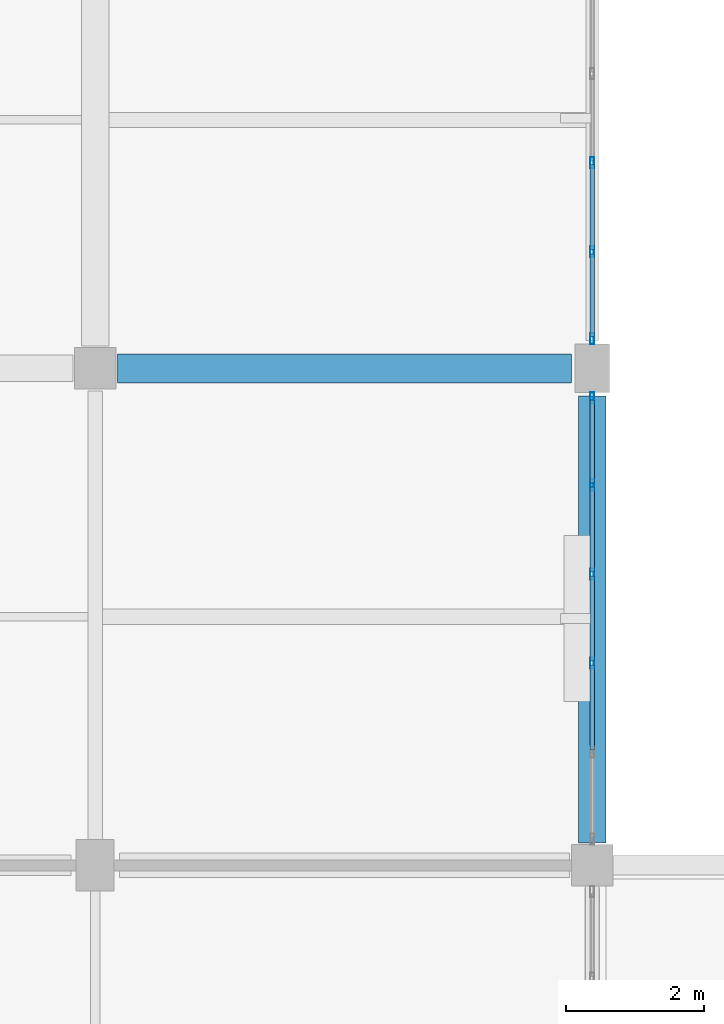
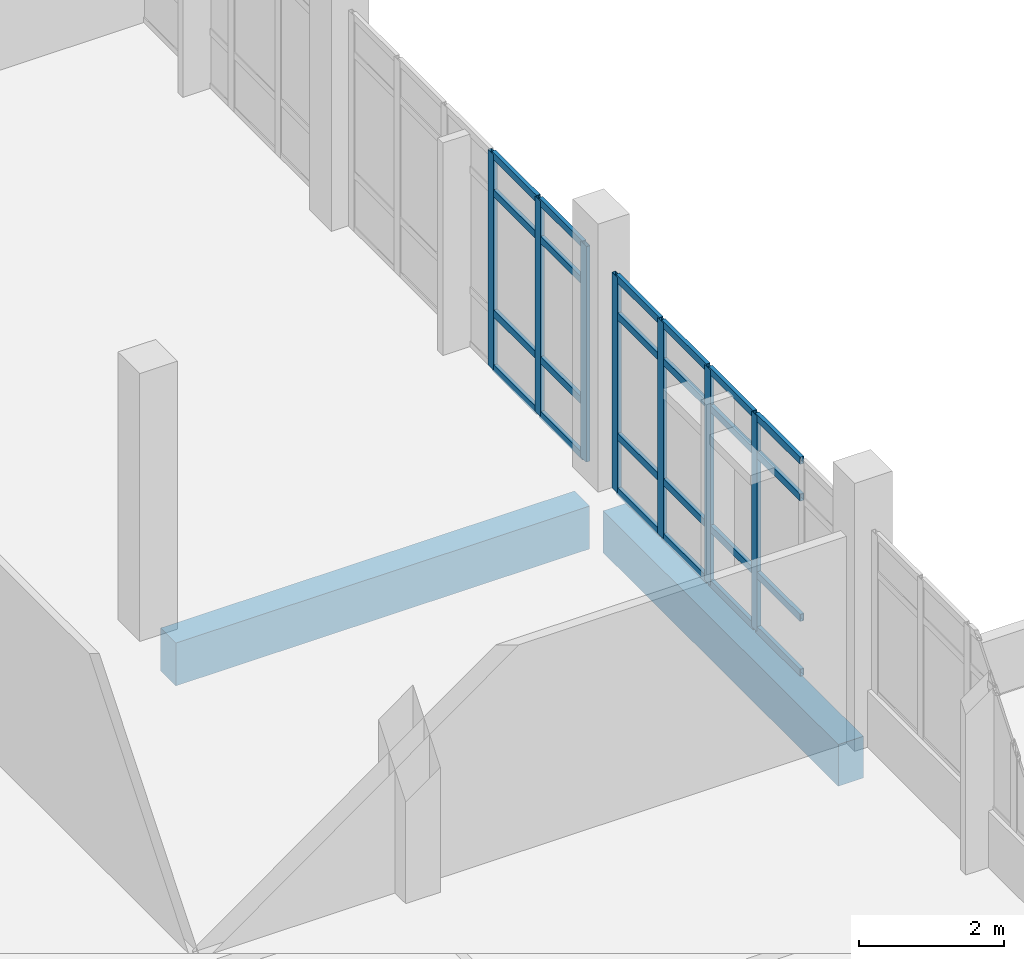
# One storey, part 14 of 87: 31 members, 2 beams, 2 elements without a shape of their own.
"""IFC4 building model written with IfcOpenShell, lengths in metres."""

from ifc_helpers import new_model, si_unit, direction, frame, origin, origin_2d, place, context, subcontext, project, spatial, rectangle, hollow_rectangle, extrude, material, material_profile, profile_set, type_object, element, aggregate, save


model = new_model("IFC4")

# Units and contexts
model_context = context("Model", 3, precision=1e-05, world=origin(), true_north=direction((0.0, 1.0)))
body_context = subcontext(model_context, "Body", "Model", "MODEL_VIEW")
ifc_project = project(units=[si_unit("LENGTHUNIT", "METRE"), si_unit("AREAUNIT", "SQUARE_METRE"), si_unit("VOLUMEUNIT", "CUBIC_METRE"), si_unit("PLANEANGLEUNIT", "RADIAN"), si_unit("MASSUNIT", "GRAM", prefix="KILO")], contexts=[model_context])

# Site, building, storey
site_placement = place(None, origin())
site = spatial("IfcSite", under=ifc_project, at=site_placement, CompositionType="ELEMENT")
building_placement = place(site_placement, origin())
building = spatial("IfcBuilding", under=site, at=building_placement, Name="Kalluvel Institute of Natural Sciences", CompositionType="ELEMENT")
storey_placement = place(building_placement, frame((0.0, 0.0, 18.89990234375)))
storey = spatial("IfcBuildingStorey", under=building, at=storey_placement, Name="L04", CompositionType="ELEMENT", Elevation=18.89990234375)

# Beams
ifc_material_1 = material(Name="Concrete M40", Category="concrete")
ifc_material_profile_1 = material_profile(ifc_material_1, rectangle(XDim=0.39990234375, YDim=0.699951171875, at=origin_2d()), Name="RCB 400x700")
ifc_profile_set_1 = profile_set([ifc_material_profile_1], Name="Concrete M40")
beam_type_1 = type_object("IfcBeamType", Name="BM-RC400x700", PredefinedType="BEAM", material=ifc_profile_set_1)
beam_1_placement = place(storey_placement, frame((35.60009765625, 35.925048828125, -0.64990234375), z_axis=(0.0, 1.0, 0.0), x_axis=(-1.0, 0.0, 0.0)))
element("IfcBeam", 1, at=beam_1_placement, inside=storey, type_object=beam_type_1, Name="L04 girder GIR-L04-NS-X356-Y356", PredefinedType="BEAM", context=body_context, shape_type="SweptSolid", body=[
    extrude(rectangle(XDim=0.39990234375, YDim=0.699951171875, at=origin_2d()), origin(), (0.0, 0.0, 1.0), 6.474853515625),
])
ifc_material_profile_2 = material_profile(ifc_material_1, rectangle(XDim=0.419921875, YDim=0.719970703125, at=origin_2d()), Name="RCB 420x720")
ifc_profile_set_2 = profile_set([ifc_material_profile_2], Name="Concrete M40")
beam_type_2 = type_object("IfcBeamType", Name="BM-RC420x720", PredefinedType="BEAM", material=ifc_profile_set_2)
beam_2_placement = place(storey_placement, frame((28.72509765625, 42.800048828125, -0.659912109375), z_axis=(1.0, 0.0, 0.0), x_axis=(0.0, 1.0, 0.0)))
element("IfcBeam", 2, at=beam_2_placement, inside=storey, type_object=beam_type_2, Name="L04 girder GIR-L04-EW-X284-Y428", PredefinedType="BEAM", context=body_context, shape_type="SweptSolid", body=[
    extrude(rectangle(XDim=0.419921875, YDim=0.719970703125, at=origin_2d()), origin(), (0.0, 0.0, 1.0), 6.574951171875),
])

# Curtain wall, members
ifc_material_2 = material(Name="Aluminium AW-6063 T6", Category="aluminium")
curtain_wall_type = type_object("IfcCurtainWallType", Name="CW-DRY-45", PredefinedType="USERDEFINED", material=ifc_material_2)
curtain_wall_1_placement = place(storey_placement, origin())
curtain_wall_1 = element("IfcCurtainWall", 3, at=curtain_wall_1_placement, inside=storey, type_object=curtain_wall_type, Name="L04 Gothic lancet curtain wall CWA-L04-X356-Y360", ObjectType="UNITISED LANCET FACADE", PredefinedType="USERDEFINED")
ifc_material_profile_3 = material_profile(ifc_material_2, hollow_rectangle(XDim=0.06005859375, YDim=0.159912109375, WallThickness=0.00390625, at=origin_2d()), Name="CWM 60x160")
ifc_profile_set_3 = profile_set([ifc_material_profile_3], Name="Aluminium AW-6063 T6")
member_type_1 = type_object("IfcMemberType", Name="CWM-60x160", PredefinedType="MULLION", material=ifc_profile_set_3)
member_1_placement = place(storey_placement, frame((35.60009765625, 38.530029296875, 0.0), z_axis=(0.0, 0.0, 1.0), x_axis=(-1.0, 0.0, 0.0)))
member_1 = element("IfcMember", 4, at=member_1_placement, type_object=member_type_1, Name="CW-03 mullion 3", PredefinedType="MULLION", context=body_context, shape_type="SweptSolid", body=[
    extrude(hollow_rectangle(XDim=0.06005859375, YDim=0.159912109375, WallThickness=0.00390625, at=origin_2d()), origin(), (0.0, 0.0, 1.0), 3.6201171875),
])
member_2_placement = place(storey_placement, frame((35.60009765625, 39.820068359375, 0.0), z_axis=(0.0, 0.0, 1.0), x_axis=(-1.0, 0.0, 0.0)))
member_2 = element("IfcMember", 5, at=member_2_placement, type_object=member_type_1, Name="CW-03 mullion 4", PredefinedType="MULLION", context=body_context, shape_type="SweptSolid", body=[
    extrude(hollow_rectangle(XDim=0.06005859375, YDim=0.159912109375, WallThickness=0.00390625, at=origin_2d()), origin(), (0.0, 0.0, 1.0), 3.6201171875),
])
member_3_placement = place(storey_placement, frame((35.60009765625, 41.110107421875, 0.0), z_axis=(0.0, 0.0, 1.0), x_axis=(-1.0, 0.0, 0.0)))
member_3 = element("IfcMember", 6, at=member_3_placement, type_object=member_type_1, Name="CW-03 mullion 5", PredefinedType="MULLION", context=body_context, shape_type="SweptSolid", body=[
    extrude(hollow_rectangle(XDim=0.06005859375, YDim=0.159912109375, WallThickness=0.00390625, at=origin_2d()), origin(), (0.0, 0.0, 1.0), 3.6201171875),
])
member_4_placement = place(storey_placement, frame((35.60009765625, 42.3701171875, 0.0), z_axis=(0.0, 0.0, 1.0), x_axis=(-1.0, 0.0, 0.0)))
member_4 = element("IfcMember", 7, at=member_4_placement, type_object=member_type_1, Name="CW-03 mullion 6", PredefinedType="MULLION", context=body_context, shape_type="SweptSolid", body=[
    extrude(hollow_rectangle(XDim=0.06005859375, YDim=0.159912109375, WallThickness=0.00390625, at=origin_2d()), origin(), (0.0, 0.0, 1.0), 3.6201171875),
])

curtain_wall_2_placement = place(storey_placement, origin())
curtain_wall_2 = element("IfcCurtainWall", 8, at=curtain_wall_2_placement, inside=storey, type_object=curtain_wall_type, Name="L04 Gothic lancet curtain wall CWA-L04-X356-Y432", ObjectType="UNITISED LANCET FACADE", PredefinedType="USERDEFINED")
member_5_placement = place(storey_placement, frame((35.60009765625, 43.22998046875, 0.0), z_axis=(0.0, 0.0, 1.0), x_axis=(-1.0, 0.0, 0.0)))
member_5 = element("IfcMember", 9, at=member_5_placement, type_object=member_type_1, Name="CW-03 mullion 1", PredefinedType="MULLION", context=body_context, shape_type="SweptSolid", body=[
    extrude(hollow_rectangle(XDim=0.06005859375, YDim=0.159912109375, WallThickness=0.00390625, at=origin_2d()), origin(), (0.0, 0.0, 1.0), 3.6201171875),
])
member_6_placement = place(storey_placement, frame((35.60009765625, 44.489990234375, 0.0), z_axis=(0.0, 0.0, 1.0), x_axis=(-1.0, 0.0, 0.0)))
member_6 = element("IfcMember", 10, at=member_6_placement, type_object=member_type_1, Name="CW-03 mullion 2", PredefinedType="MULLION", context=body_context, shape_type="SweptSolid", body=[
    extrude(hollow_rectangle(XDim=0.06005859375, YDim=0.159912109375, WallThickness=0.00390625, at=origin_2d()), origin(), (0.0, 0.0, 1.0), 3.6201171875),
])
member_7_placement = place(storey_placement, frame((35.60009765625, 45.780029296875, 0.0), z_axis=(0.0, 0.0, 1.0), x_axis=(-1.0, 0.0, 0.0)))
member_7 = element("IfcMember", 11, at=member_7_placement, type_object=member_type_1, Name="CW-03 mullion 3", PredefinedType="MULLION", context=body_context, shape_type="SweptSolid", body=[
    extrude(hollow_rectangle(XDim=0.06005859375, YDim=0.159912109375, WallThickness=0.00390625, at=origin_2d()), origin(), (0.0, 0.0, 1.0), 3.6201171875),
])

# Member
ifc_material_profile_4 = material_profile(ifc_material_2, hollow_rectangle(XDim=0.06005859375, YDim=0.1201171875, WallThickness=0.00390625, at=origin_2d()), Name="CWT 60x120")
ifc_profile_set_4 = profile_set([ifc_material_profile_4], Name="Aluminium AW-6063 T6")
member_type_2 = type_object("IfcMemberType", Name="CWT-60x120", PredefinedType="USERDEFINED", material=ifc_profile_set_4)
member_8_placement = place(storey_placement, frame((35.60009765625, 37.27001953125, 0.030029296875), z_axis=(0.0, 1.0, 0.0), x_axis=(-1.0, 0.0, 0.0)))
member_8 = element("IfcMember", 12, at=member_8_placement, type_object=member_type_2, Name="CW-03 transom 2.1", ObjectType="TRANSOM", PredefinedType="USERDEFINED", context=body_context, shape_type="SweptSolid", body=[
    extrude(hollow_rectangle(XDim=0.06005859375, YDim=0.1201171875, WallThickness=0.00390625, at=origin_2d()), origin(), (0.0, 0.0, 1.0), 1.22998046875),
])

member_9_placement = place(storey_placement, frame((35.60009765625, 37.27001953125, 0.9501953125), z_axis=(0.0, 1.0, 0.0), x_axis=(-1.0, 0.0, 0.0)))
member_9 = element("IfcMember", 13, at=member_9_placement, type_object=member_type_2, Name="CW-03 transom 2.2", ObjectType="TRANSOM", PredefinedType="USERDEFINED", context=body_context, shape_type="SweptSolid", body=[
    extrude(hollow_rectangle(XDim=0.06005859375, YDim=0.1201171875, WallThickness=0.00390625, at=origin_2d()), origin(), (0.0, 0.0, 1.0), 1.22998046875),
])

member_10_placement = place(storey_placement, frame((35.60009765625, 37.27001953125, 2.97021484375), z_axis=(0.0, 1.0, 0.0), x_axis=(-1.0, 0.0, 0.0)))
member_10 = element("IfcMember", 14, at=member_10_placement, type_object=member_type_2, Name="CW-03 transom 2.3", ObjectType="TRANSOM", PredefinedType="USERDEFINED", context=body_context, shape_type="SweptSolid", body=[
    extrude(hollow_rectangle(XDim=0.06005859375, YDim=0.1201171875, WallThickness=0.00390625, at=origin_2d()), origin(), (0.0, 0.0, 1.0), 1.22998046875),
])

member_11_placement = place(storey_placement, frame((35.60009765625, 37.27001953125, 3.590087890625), z_axis=(0.0, 1.0, 0.0), x_axis=(-1.0, 0.0, 0.0)))
member_11 = element("IfcMember", 15, at=member_11_placement, type_object=member_type_2, Name="CW-03 transom 2.4", ObjectType="TRANSOM", PredefinedType="USERDEFINED", context=body_context, shape_type="SweptSolid", body=[
    extrude(hollow_rectangle(XDim=0.06005859375, YDim=0.1201171875, WallThickness=0.00390625, at=origin_2d()), origin(), (0.0, 0.0, 1.0), 1.22998046875),
])

member_12_placement = place(storey_placement, frame((35.60009765625, 38.56005859375, 0.030029296875), z_axis=(0.0, 1.0, 0.0), x_axis=(-1.0, 0.0, 0.0)))
member_12 = element("IfcMember", 16, at=member_12_placement, type_object=member_type_2, Name="CW-03 transom 3.1", ObjectType="TRANSOM", PredefinedType="USERDEFINED", context=body_context, shape_type="SweptSolid", body=[
    extrude(hollow_rectangle(XDim=0.06005859375, YDim=0.1201171875, WallThickness=0.00390625, at=origin_2d()), origin(), (0.0, 0.0, 1.0), 1.22998046875),
])

member_13_placement = place(storey_placement, frame((35.60009765625, 38.56005859375, 0.9501953125), z_axis=(0.0, 1.0, 0.0), x_axis=(-1.0, 0.0, 0.0)))
member_13 = element("IfcMember", 17, at=member_13_placement, type_object=member_type_2, Name="CW-03 transom 3.2", ObjectType="TRANSOM", PredefinedType="USERDEFINED", context=body_context, shape_type="SweptSolid", body=[
    extrude(hollow_rectangle(XDim=0.06005859375, YDim=0.1201171875, WallThickness=0.00390625, at=origin_2d()), origin(), (0.0, 0.0, 1.0), 1.22998046875),
])

member_14_placement = place(storey_placement, frame((35.60009765625, 38.56005859375, 2.97021484375), z_axis=(0.0, 1.0, 0.0), x_axis=(-1.0, 0.0, 0.0)))
member_14 = element("IfcMember", 18, at=member_14_placement, type_object=member_type_2, Name="CW-03 transom 3.3", ObjectType="TRANSOM", PredefinedType="USERDEFINED", context=body_context, shape_type="SweptSolid", body=[
    extrude(hollow_rectangle(XDim=0.06005859375, YDim=0.1201171875, WallThickness=0.00390625, at=origin_2d()), origin(), (0.0, 0.0, 1.0), 1.22998046875),
])

member_15_placement = place(storey_placement, frame((35.60009765625, 38.56005859375, 3.590087890625), z_axis=(0.0, 1.0, 0.0), x_axis=(-1.0, 0.0, 0.0)))
member_15 = element("IfcMember", 19, at=member_15_placement, type_object=member_type_2, Name="CW-03 transom 3.4", ObjectType="TRANSOM", PredefinedType="USERDEFINED", context=body_context, shape_type="SweptSolid", body=[
    extrude(hollow_rectangle(XDim=0.06005859375, YDim=0.1201171875, WallThickness=0.00390625, at=origin_2d()), origin(), (0.0, 0.0, 1.0), 1.22998046875),
])

member_16_placement = place(storey_placement, frame((35.60009765625, 39.85009765625, 0.030029296875), z_axis=(0.0, 1.0, 0.0), x_axis=(-1.0, 0.0, 0.0)))
member_16 = element("IfcMember", 20, at=member_16_placement, type_object=member_type_2, Name="CW-03 transom 4.1", ObjectType="TRANSOM", PredefinedType="USERDEFINED", context=body_context, shape_type="SweptSolid", body=[
    extrude(hollow_rectangle(XDim=0.06005859375, YDim=0.1201171875, WallThickness=0.00390625, at=origin_2d()), origin(), (0.0, 0.0, 1.0), 1.22998046875),
])

member_17_placement = place(storey_placement, frame((35.60009765625, 39.85009765625, 0.9501953125), z_axis=(0.0, 1.0, 0.0), x_axis=(-1.0, 0.0, 0.0)))
member_17 = element("IfcMember", 21, at=member_17_placement, type_object=member_type_2, Name="CW-03 transom 4.2", ObjectType="TRANSOM", PredefinedType="USERDEFINED", context=body_context, shape_type="SweptSolid", body=[
    extrude(hollow_rectangle(XDim=0.06005859375, YDim=0.1201171875, WallThickness=0.00390625, at=origin_2d()), origin(), (0.0, 0.0, 1.0), 1.22998046875),
])

member_18_placement = place(storey_placement, frame((35.60009765625, 39.85009765625, 2.97021484375), z_axis=(0.0, 1.0, 0.0), x_axis=(-1.0, 0.0, 0.0)))
member_18 = element("IfcMember", 22, at=member_18_placement, type_object=member_type_2, Name="CW-03 transom 4.3", ObjectType="TRANSOM", PredefinedType="USERDEFINED", context=body_context, shape_type="SweptSolid", body=[
    extrude(hollow_rectangle(XDim=0.06005859375, YDim=0.1201171875, WallThickness=0.00390625, at=origin_2d()), origin(), (0.0, 0.0, 1.0), 1.22998046875),
])

member_19_placement = place(storey_placement, frame((35.60009765625, 39.85009765625, 3.590087890625), z_axis=(0.0, 1.0, 0.0), x_axis=(-1.0, 0.0, 0.0)))
member_19 = element("IfcMember", 23, at=member_19_placement, type_object=member_type_2, Name="CW-03 transom 4.4", ObjectType="TRANSOM", PredefinedType="USERDEFINED", context=body_context, shape_type="SweptSolid", body=[
    extrude(hollow_rectangle(XDim=0.06005859375, YDim=0.1201171875, WallThickness=0.00390625, at=origin_2d()), origin(), (0.0, 0.0, 1.0), 1.22998046875),
])

member_20_placement = place(storey_placement, frame((35.60009765625, 41.139892578125, 0.030029296875), z_axis=(0.0, 1.0, 0.0), x_axis=(-1.0, 0.0, 0.0)))
member_20 = element("IfcMember", 24, at=member_20_placement, type_object=member_type_2, Name="CW-03 transom 5.1", ObjectType="TRANSOM", PredefinedType="USERDEFINED", context=body_context, shape_type="SweptSolid", body=[
    extrude(hollow_rectangle(XDim=0.06005859375, YDim=0.1201171875, WallThickness=0.00390625, at=origin_2d()), origin(), (0.0, 0.0, 1.0), 1.2001953125),
])

member_21_placement = place(storey_placement, frame((35.60009765625, 41.139892578125, 0.9501953125), z_axis=(0.0, 1.0, 0.0), x_axis=(-1.0, 0.0, 0.0)))
member_21 = element("IfcMember", 25, at=member_21_placement, type_object=member_type_2, Name="CW-03 transom 5.2", ObjectType="TRANSOM", PredefinedType="USERDEFINED", context=body_context, shape_type="SweptSolid", body=[
    extrude(hollow_rectangle(XDim=0.06005859375, YDim=0.1201171875, WallThickness=0.00390625, at=origin_2d()), origin(), (0.0, 0.0, 1.0), 1.2001953125),
])

member_22_placement = place(storey_placement, frame((35.60009765625, 41.139892578125, 2.97021484375), z_axis=(0.0, 1.0, 0.0), x_axis=(-1.0, 0.0, 0.0)))
member_22 = element("IfcMember", 26, at=member_22_placement, type_object=member_type_2, Name="CW-03 transom 5.3", ObjectType="TRANSOM", PredefinedType="USERDEFINED", context=body_context, shape_type="SweptSolid", body=[
    extrude(hollow_rectangle(XDim=0.06005859375, YDim=0.1201171875, WallThickness=0.00390625, at=origin_2d()), origin(), (0.0, 0.0, 1.0), 1.2001953125),
])

member_23_placement = place(storey_placement, frame((35.60009765625, 41.139892578125, 3.590087890625), z_axis=(0.0, 1.0, 0.0), x_axis=(-1.0, 0.0, 0.0)))
member_23 = element("IfcMember", 27, at=member_23_placement, type_object=member_type_2, Name="CW-03 transom 5.4", ObjectType="TRANSOM", PredefinedType="USERDEFINED", context=body_context, shape_type="SweptSolid", body=[
    extrude(hollow_rectangle(XDim=0.06005859375, YDim=0.1201171875, WallThickness=0.00390625, at=origin_2d()), origin(), (0.0, 0.0, 1.0), 1.2001953125),
])

aggregate(curtain_wall_1, [member_1, member_2, member_3, member_4, member_8, member_9, member_10, member_11, member_12, member_13, member_14, member_15, member_16, member_17, member_18, member_19, member_20, member_21, member_22, member_23])

member_24_placement = place(storey_placement, frame((35.60009765625, 43.260009765625, 0.030029296875), z_axis=(0.0, 1.0, 0.0), x_axis=(-1.0, 0.0, 0.0)))
member_24 = element("IfcMember", 28, at=member_24_placement, type_object=member_type_2, Name="CW-03 transom 1.1", ObjectType="TRANSOM", PredefinedType="USERDEFINED", context=body_context, shape_type="SweptSolid", body=[
    extrude(hollow_rectangle(XDim=0.06005859375, YDim=0.1201171875, WallThickness=0.00390625, at=origin_2d()), origin(), (0.0, 0.0, 1.0), 1.199951171875),
])

member_25_placement = place(storey_placement, frame((35.60009765625, 43.260009765625, 0.9501953125), z_axis=(0.0, 1.0, 0.0), x_axis=(-1.0, 0.0, 0.0)))
member_25 = element("IfcMember", 29, at=member_25_placement, type_object=member_type_2, Name="CW-03 transom 1.2", ObjectType="TRANSOM", PredefinedType="USERDEFINED", context=body_context, shape_type="SweptSolid", body=[
    extrude(hollow_rectangle(XDim=0.06005859375, YDim=0.1201171875, WallThickness=0.00390625, at=origin_2d()), origin(), (0.0, 0.0, 1.0), 1.199951171875),
])

member_26_placement = place(storey_placement, frame((35.60009765625, 43.260009765625, 2.97021484375), z_axis=(0.0, 1.0, 0.0), x_axis=(-1.0, 0.0, 0.0)))
member_26 = element("IfcMember", 30, at=member_26_placement, type_object=member_type_2, Name="CW-03 transom 1.3", ObjectType="TRANSOM", PredefinedType="USERDEFINED", context=body_context, shape_type="SweptSolid", body=[
    extrude(hollow_rectangle(XDim=0.06005859375, YDim=0.1201171875, WallThickness=0.00390625, at=origin_2d()), origin(), (0.0, 0.0, 1.0), 1.199951171875),
])

member_27_placement = place(storey_placement, frame((35.60009765625, 43.260009765625, 3.590087890625), z_axis=(0.0, 1.0, 0.0), x_axis=(-1.0, 0.0, 0.0)))
member_27 = element("IfcMember", 31, at=member_27_placement, type_object=member_type_2, Name="CW-03 transom 1.4", ObjectType="TRANSOM", PredefinedType="USERDEFINED", context=body_context, shape_type="SweptSolid", body=[
    extrude(hollow_rectangle(XDim=0.06005859375, YDim=0.1201171875, WallThickness=0.00390625, at=origin_2d()), origin(), (0.0, 0.0, 1.0), 1.199951171875),
])

member_28_placement = place(storey_placement, frame((35.60009765625, 44.52001953125, 0.030029296875), z_axis=(0.0, 1.0, 0.0), x_axis=(-1.0, 0.0, 0.0)))
member_28 = element("IfcMember", 32, at=member_28_placement, type_object=member_type_2, Name="CW-03 transom 2.1", ObjectType="TRANSOM", PredefinedType="USERDEFINED", context=body_context, shape_type="SweptSolid", body=[
    extrude(hollow_rectangle(XDim=0.06005859375, YDim=0.1201171875, WallThickness=0.00390625, at=origin_2d()), origin(), (0.0, 0.0, 1.0), 1.22998046875),
])

member_29_placement = place(storey_placement, frame((35.60009765625, 44.52001953125, 0.9501953125), z_axis=(0.0, 1.0, 0.0), x_axis=(-1.0, 0.0, 0.0)))
member_29 = element("IfcMember", 33, at=member_29_placement, type_object=member_type_2, Name="CW-03 transom 2.2", ObjectType="TRANSOM", PredefinedType="USERDEFINED", context=body_context, shape_type="SweptSolid", body=[
    extrude(hollow_rectangle(XDim=0.06005859375, YDim=0.1201171875, WallThickness=0.00390625, at=origin_2d()), origin(), (0.0, 0.0, 1.0), 1.22998046875),
])

member_30_placement = place(storey_placement, frame((35.60009765625, 44.52001953125, 2.97021484375), z_axis=(0.0, 1.0, 0.0), x_axis=(-1.0, 0.0, 0.0)))
member_30 = element("IfcMember", 34, at=member_30_placement, type_object=member_type_2, Name="CW-03 transom 2.3", ObjectType="TRANSOM", PredefinedType="USERDEFINED", context=body_context, shape_type="SweptSolid", body=[
    extrude(hollow_rectangle(XDim=0.06005859375, YDim=0.1201171875, WallThickness=0.00390625, at=origin_2d()), origin(), (0.0, 0.0, 1.0), 1.22998046875),
])

member_31_placement = place(storey_placement, frame((35.60009765625, 44.52001953125, 3.590087890625), z_axis=(0.0, 1.0, 0.0), x_axis=(-1.0, 0.0, 0.0)))
member_31 = element("IfcMember", 35, at=member_31_placement, type_object=member_type_2, Name="CW-03 transom 2.4", ObjectType="TRANSOM", PredefinedType="USERDEFINED", context=body_context, shape_type="SweptSolid", body=[
    extrude(hollow_rectangle(XDim=0.06005859375, YDim=0.1201171875, WallThickness=0.00390625, at=origin_2d()), origin(), (0.0, 0.0, 1.0), 1.22998046875),
])

aggregate(curtain_wall_2, [member_5, member_6, member_7, member_24, member_25, member_26, member_27, member_28, member_29, member_30, member_31])

save(model, "model.ifc")
